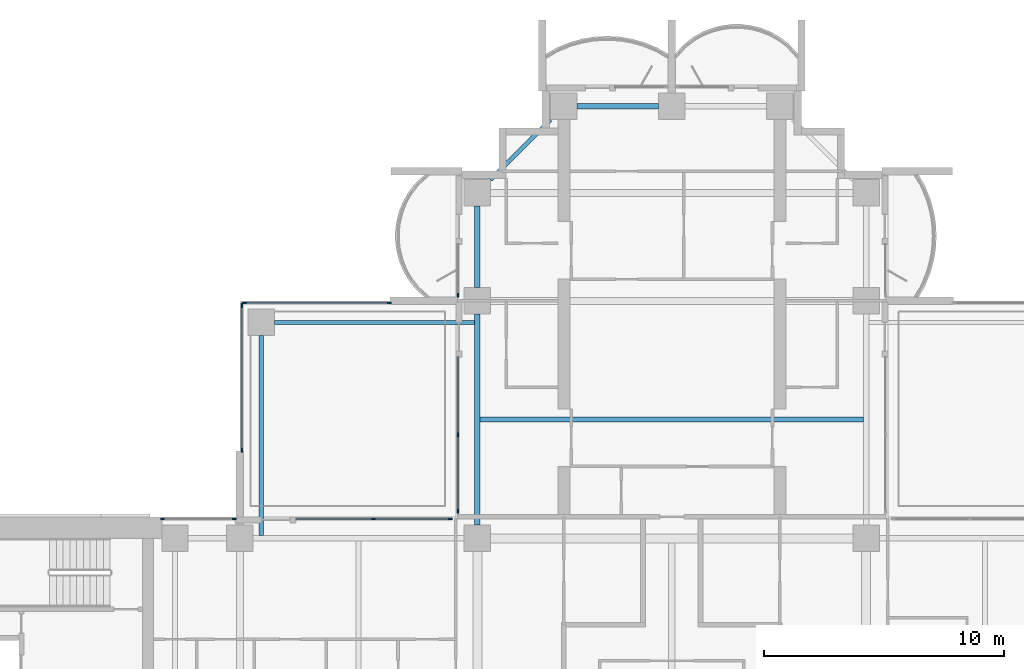
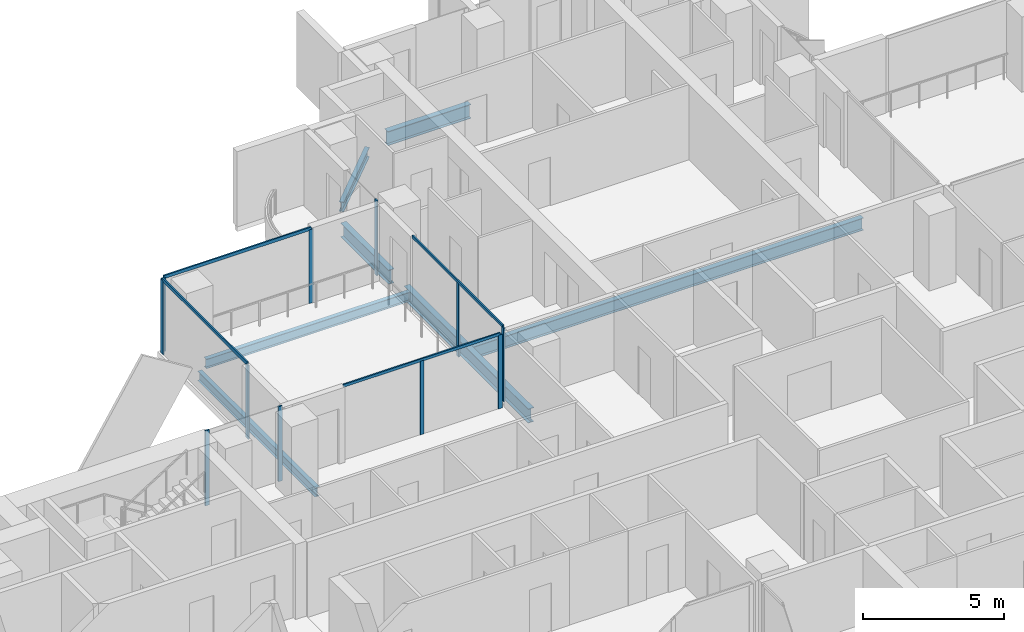
# One storey, part 5 of 19: 15 members, 7 beams, 6 elements without a shape of their own.
"""IFC4 building model written with IfcOpenShell, lengths in metres."""

import ifcopenshell
import ifcopenshell.guid

model = None  # the IFC model being written
_history = None  # IfcOwnerHistory: only IFC2X3 demands one
_inside = {}  # id of a spatial element -> (the spatial element, [elements in it])
_under = {}  # id of a project, library or spatial element -> (it, [spatial elements below it])
_declared = {}  # id of a project -> (the project, [libraries it declares])
_typed = {}  # id of a type object -> (the type object, [elements of that type])
_made_of = {}  # id of a material, layer set ... -> (it, [elements and type objects made of it])


def new_model(schema):
    """Start an empty IFC model of exactly this schema.

    Asked for "IFC4X3", IfcOpenShell would pick the latest addendum, in which some entities
    have other attributes; the version numbers below select the first issue.
    IFC2X3 requires an IfcOwnerHistory on every rooted entity: one is made here for all.
    """
    global model, _history
    if schema == "IFC4X3":
        model = ifcopenshell.file(schema_version=(4, 3, 0, 0))
    else:
        model = ifcopenshell.file(schema=schema)
    _inside.clear()
    _under.clear()
    _declared.clear()
    _typed.clear()
    _made_of.clear()
    _history = None
    if model.schema == "IFC2X3":
        org = make("IfcOrganization", Name="unknown")
        user = make(
            "IfcPersonAndOrganization",
            ThePerson=make("IfcPerson", FamilyName="unknown"),
            TheOrganization=org,
        )
        app = make(
            "IfcApplication",
            ApplicationDeveloper=org,
            Version="unknown",
            ApplicationFullName="unknown",
            ApplicationIdentifier="unknown",
        )
        _history = make(
            "IfcOwnerHistory",
            OwningUser=user,
            OwningApplication=app,
            ChangeAction="ADDED",
            CreationDate=0,
        )
    return model


def make(cls, **values):
    """One entity of the class cls with the attributes given. An attribute that is None is left unset."""
    return model.create_entity(
        cls, **{name: value for name, value in values.items() if value is not None}
    )


def rooted(cls, **values):
    """An entity with a GlobalId (a new one), such as an element, a storey or a relation."""
    return make(cls, GlobalId=ifcopenshell.guid.new(), OwnerHistory=_history, **values)


def si_unit(unit_type, name, prefix=None):
    """IfcSIUnit, for example si_unit("LENGTHUNIT", "METRE", prefix="MILLI")."""
    return make("IfcSIUnit", UnitType=unit_type, Prefix=prefix, Name=name)


def assignment(units):
    """IfcUnitAssignment: the units of a project."""
    return None if units is None else make("IfcUnitAssignment", Units=units)


def point(xyz):
    """IfcCartesianPoint."""
    return None if xyz is None else make("IfcCartesianPoint", Coordinates=xyz)


def direction(xyz):
    """IfcDirection."""
    return None if xyz is None else make("IfcDirection", DirectionRatios=xyz)


def frame(location, z_axis=None, x_axis=None):
    """IfcAxis2Placement3D, a coordinate frame: its origin and axes. An axis left out is left unset."""
    return make(
        "IfcAxis2Placement3D",
        Location=point(location),
        Axis=direction(z_axis),
        RefDirection=direction(x_axis),
    )


def frame_2d(location, x_axis=None):
    """IfcAxis2Placement2D, a coordinate frame in the plane: its origin and x axis."""
    return make(
        "IfcAxis2Placement2D", Location=point(location), RefDirection=direction(x_axis)
    )


def origin():
    """The frame at (0, 0, 0) with its axes left unset."""
    return frame((0.0, 0.0, 0.0))


def origin_2d():
    """The frame at (0, 0) in the plane with its x axis left unset."""
    return frame_2d((0.0, 0.0))


def place(relative_to, where):
    """IfcLocalPlacement: puts the frame where relative to a parent placement (None: the world)."""
    return make(
        "IfcLocalPlacement", PlacementRelTo=relative_to, RelativePlacement=where
    )


def context(
    kind, dimensions, precision=None, world=None, true_north=None, identifier=None
):
    """IfcGeometricRepresentationContext, for example the 3D "Model" context."""
    return make(
        "IfcGeometricRepresentationContext",
        ContextIdentifier=identifier,
        ContextType=kind,
        CoordinateSpaceDimension=dimensions,
        Precision=precision,
        WorldCoordinateSystem=world,
        TrueNorth=true_north,
    )


def subcontext(parent, identifier, kind, view, scale=None):
    """IfcGeometricRepresentationSubContext, for example "Body" below "Model"."""
    return make(
        "IfcGeometricRepresentationSubContext",
        ContextIdentifier=identifier,
        ContextType=kind,
        ParentContext=parent,
        TargetScale=scale,
        TargetView=view,
    )


def project(units=None, contexts=None):
    """IfcProject with its units and contexts."""
    return rooted(
        "IfcProject",
        Name="project",
        RepresentationContexts=contexts,
        UnitsInContext=assignment(units),
    )


def spatial(cls, under=None, at=None, **own):
    """A site, building, storey or space (cls), placed at a placement, below another one or the project."""
    s = rooted(cls, ObjectPlacement=at, **own)
    if under is not None:
        _under.setdefault(under.id(), (under, []))[1].append(s)
    return s


def profile(cls, at=None, kind="AREA", **sizes):
    """A parametric profile (cls). Its sizes go by their IFC names, for example OverallWidth=200.0."""
    return make(cls, ProfileType=kind, Position=at, **sizes)


def rectangle(**sizes):
    """IfcRectangleProfileDef."""
    return profile("IfcRectangleProfileDef", **sizes)


def i_section(**sizes):
    """IfcIShapeProfileDef."""
    return profile("IfcIShapeProfileDef", **sizes)


def extrude(swept, where, along, depth):
    """IfcExtrudedAreaSolid: the profile swept, set in the frame where, extruded along a direction by depth."""
    return make(
        "IfcExtrudedAreaSolid",
        SweptArea=swept,
        Position=where,
        ExtrudedDirection=direction(along),
        Depth=depth,
    )


def shape(context_of_items, identifier, shape_type, items):
    """IfcShapeRepresentation: the items that make up one representation, for example the "Body"."""
    return make(
        "IfcShapeRepresentation",
        ContextOfItems=context_of_items,
        RepresentationIdentifier=identifier,
        RepresentationType=shape_type,
        Items=items,
    )


def material(Name=None, Category=None):
    """IfcMaterial."""
    return make("IfcMaterial", Name=Name, Category=Category)


def material_profile(
    of_material, cross_section, Name=None, Category=None, Priority=None
):
    """IfcMaterialProfile: a cross section and its material."""
    return make(
        "IfcMaterialProfile",
        Name=Name,
        Material=of_material,
        Profile=cross_section,
        Priority=Priority,
        Category=Category,
    )


def profile_set(profiles, Name=None, composite=None):
    """IfcMaterialProfileSet."""
    return make(
        "IfcMaterialProfileSet",
        Name=Name,
        MaterialProfiles=profiles,
        CompositeProfile=composite,
    )


def made_of(thing, what):
    """Note that an element or type object is made of a material, layer set ...; save() writes the relation."""
    if what is not None:
        _made_of.setdefault(what.id(), (what, []))[1].append(thing)
    return thing


def type_object(cls, material=None, **own):
    """A type object (cls), such as IfcWallType, which elements share."""
    return made_of(rooted(cls, **own), material)


def element(
    cls,
    number,
    at=None,
    inside=None,
    cuts=None,
    type_object=None,
    material=None,
    context=None,
    identifier="Body",
    shape_type=None,
    held_by="IfcProductDefinitionShape",
    body=None,
    shapes=None,
    **own,
):
    """One element of the class cls, such as IfcWall. Its Tag is "e" and its number.

    at: its placement. inside: the storey or other place that contains it. cuts: it is an
    opening in that element (IfcRelVoidsElement). A single representation is given by context,
    identifier, shape_type and body (its items); several are given by shapes. held_by: the class
    of the entity that holds the representations. save() writes the other relations.
    """
    e = rooted(cls, Tag="e%d" % number, ObjectPlacement=at, **own)
    if body is not None:
        shapes = [shape(context, identifier, shape_type, body)]
    if shapes is not None:
        e.Representation = make(held_by, Representations=shapes)
    if inside is not None:
        _inside.setdefault(inside.id(), (inside, []))[1].append(e)
    if cuts is not None:
        rooted(
            "IfcRelVoidsElement", RelatingBuildingElement=cuts, RelatedOpeningElement=e
        )
    if type_object is not None:
        _typed.setdefault(type_object.id(), (type_object, []))[1].append(e)
    return made_of(e, material)


def aggregate(whole, parts):
    """IfcRelAggregates: a whole, such as a stair, and the parts it consists of."""
    return rooted("IfcRelAggregates", RelatingObject=whole, RelatedObjects=parts)


def save(model, path):
    """Write the relations noted so far, then the file.

    IfcRelAggregates (storeys below a building ...), IfcRelContainedInSpatialStructure (elements
    in a storey), IfcRelDefinesByType, IfcRelAssociatesMaterial and IfcRelDeclares: one each for
    every whole, place, type object, material and project.
    """
    for whole, parts in _under.values():
        aggregate(whole, parts)
    for where, things in _inside.values():
        rooted(
            "IfcRelContainedInSpatialStructure",
            RelatedElements=things,
            RelatingStructure=where,
        )
    for kind, things in _typed.values():
        rooted("IfcRelDefinesByType", RelatedObjects=things, RelatingType=kind)
    for what, things in _made_of.values():
        rooted("IfcRelAssociatesMaterial", RelatedObjects=things, RelatingMaterial=what)
    for by, libraries in _declared.values():
        rooted("IfcRelDeclares", RelatingContext=by, RelatedDefinitions=libraries)
    model.write(path)


model = new_model("IFC4")

# Units and contexts
model_context = context("Model", 3, precision=1e-05, world=origin(), true_north=direction((0.0, 1.0)))
body_context = subcontext(model_context, "Body", "Model", "MODEL_VIEW")
ifc_project = project(units=[si_unit("LENGTHUNIT", "METRE"), si_unit("AREAUNIT", "SQUARE_METRE"), si_unit("VOLUMEUNIT", "CUBIC_METRE"), si_unit("PLANEANGLEUNIT", "RADIAN"), si_unit("MASSUNIT", "GRAM", prefix="KILO")], contexts=[model_context])

# Site, building, storey
site_placement = place(None, origin())
site = spatial("IfcSite", under=ifc_project, at=site_placement, CompositionType="ELEMENT")
building_placement = place(site_placement, origin())
building = spatial("IfcBuilding", under=site, at=building_placement, Name="Perihelion Cross Residences", CompositionType="ELEMENT")
storey_placement = place(building_placement, frame((0.0, 0.0, 147.89990234375)))
storey = spatial("IfcBuildingStorey", under=building, at=storey_placement, Name="L36", CompositionType="ELEMENT", Elevation=147.89990234375)

# Curtain wall, member
ifc_material_1 = material(Name="Bronze anodised aluminium, tinted glazing", Category="aluminium")
curtain_wall_type_1 = type_object("IfcCurtainWallType", Name="CW1", PredefinedType="NOTDEFINED", material=ifc_material_1)
curtain_wall_1_placement = place(storey_placement, origin())
curtain_wall_1 = element("IfcCurtainWall", 1, at=curtain_wall_1_placement, inside=storey, type_object=curtain_wall_type_1, Name="Curtain wall CW1 L36 north side west bay 1", PredefinedType="NOTDEFINED")
ifc_material_2 = material(Name="Bronze anodised aluminium", Category="aluminium")
ifc_material_profile_1 = material_profile(ifc_material_2, rectangle(XDim=0.06005859375, YDim=0.159912109375, at=origin_2d()), Name="CW1 mullion")
ifc_profile_set_1 = profile_set([ifc_material_profile_1], Name="Bronze anodised aluminium")
member_type_1 = type_object("IfcMemberType", Name="CW1 mullion", PredefinedType="MULLION", material=ifc_profile_set_1)
member_1_placement = place(storey_placement, frame((-8.89990234375, 18.22998046875, 0.0), z_axis=(0.0, 0.0, 1.0), x_axis=(1.0, 0.0, 0.0)))
member_1 = element("IfcMember", 2, at=member_1_placement, type_object=member_type_1, Name="CW1 mullion 2", PredefinedType="MULLION", context=body_context, shape_type="SweptSolid", body=[
    extrude(rectangle(XDim=0.06005859375, YDim=0.159912109375, at=origin_2d()), origin(), (0.0, 0.0, 1.0), 3.25),
])
aggregate(curtain_wall_1, [member_1])

# Curtain wall, members
curtain_wall_2_placement = place(storey_placement, origin())
curtain_wall_2 = element("IfcCurtainWall", 3, at=curtain_wall_2_placement, inside=storey, type_object=curtain_wall_type_1, Name="Curtain wall CW1 L36 north side west bay 2", PredefinedType="NOTDEFINED")
member_2_placement = place(storey_placement, frame((-8.89990234375, 12.425048828125, 0.0), z_axis=(0.0, 0.0, 1.0), x_axis=(1.0, 0.0, 0.0)))
member_2 = element("IfcMember", 4, at=member_2_placement, type_object=member_type_1, Name="CW1 mullion 2", PredefinedType="MULLION", context=body_context, shape_type="SweptSolid", body=[
    extrude(rectangle(XDim=0.06005859375, YDim=0.159912109375, at=origin_2d()), origin(), (0.0, 0.0, 1.0), 3.190185546875),
])
member_3_placement = place(storey_placement, frame((-8.89990234375, 9.22998046875, 0.0), z_axis=(0.0, 0.0, 1.0), x_axis=(1.0, 0.0, 0.0)))
member_3 = element("IfcMember", 5, at=member_3_placement, type_object=member_type_1, Name="CW1 mullion 3", PredefinedType="MULLION", context=body_context, shape_type="SweptSolid", body=[
    extrude(rectangle(XDim=0.06005859375, YDim=0.159912109375, at=origin_2d()), origin(), (0.0, 0.0, 1.0), 3.190185546875),
])

curtain_wall_3_placement = place(storey_placement, origin())
curtain_wall_3 = element("IfcCurtainWall", 6, at=curtain_wall_3_placement, inside=storey, type_object=curtain_wall_type_1, Name="Curtain wall CW1 L36 west side north bay 1", PredefinedType="NOTDEFINED")
member_4_placement = place(storey_placement, frame((-9.22998046875, 8.89990234375, 0.0), z_axis=(0.0, 0.0, 1.0), x_axis=(0.0, -1.0, 0.0)))
member_4 = element("IfcMember", 7, at=member_4_placement, type_object=member_type_1, Name="CW1 mullion 1", PredefinedType="MULLION", context=body_context, shape_type="SweptSolid", body=[
    extrude(rectangle(XDim=0.06005859375, YDim=0.159912109375, at=origin_2d()), origin(), (0.0, 0.0, 1.0), 3.190185546875),
])
member_5_placement = place(storey_placement, frame((-12.425048828125, 8.89990234375, 0.0), z_axis=(0.0, 0.0, 1.0), x_axis=(0.0, -1.0, 0.0)))
member_5 = element("IfcMember", 8, at=member_5_placement, type_object=member_type_1, Name="CW1 mullion 2", PredefinedType="MULLION", context=body_context, shape_type="SweptSolid", body=[
    extrude(rectangle(XDim=0.06005859375, YDim=0.159912109375, at=origin_2d()), origin(), (0.0, 0.0, 1.0), 3.190185546875),
])

curtain_wall_4_placement = place(storey_placement, origin())
curtain_wall_4 = element("IfcCurtainWall", 9, at=curtain_wall_4_placement, inside=storey, type_object=curtain_wall_type_1, Name="Curtain wall CW1 L36 west side north bay 2", PredefinedType="NOTDEFINED")
member_6_placement = place(storey_placement, frame((-18.22998046875, 8.89990234375, 0.0), z_axis=(0.0, 0.0, 1.0), x_axis=(0.0, -1.0, 0.0)))
member_6 = element("IfcMember", 10, at=member_6_placement, type_object=member_type_1, Name="CW1 mullion 1", PredefinedType="MULLION", context=body_context, shape_type="SweptSolid", body=[
    extrude(rectangle(XDim=0.06005859375, YDim=0.159912109375, at=origin_2d()), origin(), (0.0, 0.0, 1.0), 3.25),
])
member_7_placement = place(storey_placement, frame((-21.219970703125, 8.89990234375, 0.0), z_axis=(0.0, 0.0, 1.0), x_axis=(0.0, -1.0, 0.0)))
member_7 = element("IfcMember", 11, at=member_7_placement, type_object=member_type_1, Name="CW1 mullion 2", PredefinedType="MULLION", context=body_context, shape_type="SweptSolid", body=[
    extrude(rectangle(XDim=0.06005859375, YDim=0.159912109375, at=origin_2d()), origin(), (0.0, 0.0, 1.0), 3.25),
])
aggregate(curtain_wall_4, [member_6, member_7])

# Member
ifc_material_3 = material(Name="Bronze anodised aluminium", Category="aluminium")
ifc_material_profile_2 = material_profile(ifc_material_3, rectangle(XDim=0.06005859375, YDim=0.1201171875, at=origin_2d()), Name="CW1 transom")
ifc_profile_set_2 = profile_set([ifc_material_profile_2], Name="Bronze anodised aluminium")
member_type_2 = type_object("IfcMemberType", Name="CW1 transom", PredefinedType="USERDEFINED", material=ifc_profile_set_2)
member_8_placement = place(storey_placement, frame((-8.89990234375, 15.64990234375, 3.22021484375), z_axis=(0.0, -1.0, 0.0), x_axis=(1.0, 0.0, 0.0)))
member_8 = element("IfcMember", 12, at=member_8_placement, type_object=member_type_2, Name="CW1 head transom", ObjectType="TRANSOM", PredefinedType="USERDEFINED", context=body_context, shape_type="SweptSolid", body=[
    extrude(rectangle(XDim=0.06005859375, YDim=0.1201171875, at=origin_2d()), origin(), (0.0, 0.0, 1.0), 6.419921875),
])

aggregate(curtain_wall_2, [member_2, member_3, member_8])

member_9_placement = place(storey_placement, frame((-9.22998046875, 8.89990234375, 3.22021484375), z_axis=(-1.0, 0.0, 0.0), x_axis=(0.0, -1.0, 0.0)))
member_9 = element("IfcMember", 13, at=member_9_placement, type_object=member_type_2, Name="CW1 head transom", ObjectType="TRANSOM", PredefinedType="USERDEFINED", context=body_context, shape_type="SweptSolid", body=[
    extrude(rectangle(XDim=0.06005859375, YDim=0.1201171875, at=origin_2d()), origin(), (0.0, 0.0, 1.0), 6.419921875),
])

aggregate(curtain_wall_3, [member_4, member_5, member_9])

# Curtain wall, members
ifc_material_4 = material(Name="Bronze anodised aluminium, tinted glazing", Category="aluminium")
curtain_wall_type_2 = type_object("IfcCurtainWallType", Name="CW4", PredefinedType="NOTDEFINED", material=ifc_material_4)
curtain_wall_5_placement = place(storey_placement, origin())
curtain_wall_5 = element("IfcCurtainWall", 14, at=curtain_wall_5_placement, inside=storey, type_object=curtain_wall_type_2, Name="Curtain wall CW4 L36 pocket north-west 1 1", PredefinedType="NOTDEFINED")
ifc_material_5 = material(Name="Bronze anodised aluminium", Category="aluminium")
ifc_material_profile_3 = material_profile(ifc_material_5, rectangle(XDim=0.06005859375, YDim=0.179931640625, at=origin_2d()), Name="CW4 mullion")
ifc_profile_set_3 = profile_set([ifc_material_profile_3], Name="Bronze anodised aluminium")
member_type_3 = type_object("IfcMemberType", Name="CW4 mullion", PredefinedType="MULLION", material=ifc_profile_set_3)
member_10_placement = place(storey_placement, frame((-17.89990234375, 11.77001953125, 0.0), z_axis=(0.0, 0.0, 1.0), x_axis=(-1.0, 0.0, 0.0)))
member_10 = element("IfcMember", 15, at=member_10_placement, type_object=member_type_3, Name="CW4 mullion 1", PredefinedType="MULLION", context=body_context, shape_type="SweptSolid", body=[
    extrude(rectangle(XDim=0.06005859375, YDim=0.179931640625, at=origin_2d()), origin(), (0.0, 0.0, 1.0), 3.190185546875),
])
member_11_placement = place(storey_placement, frame((-17.89990234375, 17.800048828125, 0.0), z_axis=(0.0, 0.0, 1.0), x_axis=(-1.0, 0.0, 0.0)))
member_11 = element("IfcMember", 16, at=member_11_placement, type_object=member_type_3, Name="CW4 mullion 2", PredefinedType="MULLION", context=body_context, shape_type="SweptSolid", body=[
    extrude(rectangle(XDim=0.06005859375, YDim=0.179931640625, at=origin_2d()), origin(), (0.0, 0.0, 1.0), 3.190185546875),
])

curtain_wall_6_placement = place(storey_placement, origin())
curtain_wall_6 = element("IfcCurtainWall", 17, at=curtain_wall_6_placement, inside=storey, type_object=curtain_wall_type_2, Name="Curtain wall CW4 L36 pocket north-west 1 2", PredefinedType="NOTDEFINED")
member_12_placement = place(storey_placement, frame((-17.800048828125, 17.89990234375, 0.0), z_axis=(0.0, 0.0, 1.0), x_axis=(0.0, 1.0, 0.0)))
member_12 = element("IfcMember", 18, at=member_12_placement, type_object=member_type_3, Name="CW4 mullion 1", PredefinedType="MULLION", context=body_context, shape_type="SweptSolid", body=[
    extrude(rectangle(XDim=0.06005859375, YDim=0.179931640625, at=origin_2d()), origin(), (0.0, 0.0, 1.0), 3.190185546875),
])
member_13_placement = place(storey_placement, frame((-11.77001953125, 17.89990234375, 0.0), z_axis=(0.0, 0.0, 1.0), x_axis=(0.0, 1.0, 0.0)))
member_13 = element("IfcMember", 19, at=member_13_placement, type_object=member_type_3, Name="CW4 mullion 2", PredefinedType="MULLION", context=body_context, shape_type="SweptSolid", body=[
    extrude(rectangle(XDim=0.06005859375, YDim=0.179931640625, at=origin_2d()), origin(), (0.0, 0.0, 1.0), 3.190185546875),
])

# Member
ifc_material_6 = material(Name="Bronze anodised aluminium", Category="aluminium")
ifc_material_profile_4 = material_profile(ifc_material_6, rectangle(XDim=0.06005859375, YDim=0.139892578125, at=origin_2d()), Name="CW4 transom")
ifc_profile_set_4 = profile_set([ifc_material_profile_4], Name="Bronze anodised aluminium")
member_type_4 = type_object("IfcMemberType", Name="CW4 transom", PredefinedType="USERDEFINED", material=ifc_profile_set_4)
member_14_placement = place(storey_placement, frame((-17.89990234375, 11.77001953125, 3.22021484375), z_axis=(0.0, 1.0, 0.0), x_axis=(-1.0, 0.0, 0.0)))
member_14 = element("IfcMember", 20, at=member_14_placement, type_object=member_type_4, Name="CW4 head transom", ObjectType="TRANSOM", PredefinedType="USERDEFINED", context=body_context, shape_type="SweptSolid", body=[
    extrude(rectangle(XDim=0.06005859375, YDim=0.139892578125, at=origin_2d()), origin(), (0.0, 0.0, 1.0), 6.030029296875),
])

aggregate(curtain_wall_5, [member_10, member_11, member_14])

member_15_placement = place(storey_placement, frame((-17.800048828125, 17.89990234375, 3.22021484375), z_axis=(1.0, 0.0, 0.0), x_axis=(0.0, 1.0, 0.0)))
member_15 = element("IfcMember", 21, at=member_15_placement, type_object=member_type_4, Name="CW4 head transom", ObjectType="TRANSOM", PredefinedType="USERDEFINED", context=body_context, shape_type="SweptSolid", body=[
    extrude(rectangle(XDim=0.06005859375, YDim=0.139892578125, at=origin_2d()), origin(), (0.0, 0.0, 1.0), 6.030029296875),
])

aggregate(curtain_wall_6, [member_12, member_13, member_15])

# Beams
ifc_material_7 = material(Name="Steel S355", Category="steel")
ifc_material_profile_5 = material_profile(ifc_material_7, i_section(OverallWidth=0.177978515625, OverallDepth=0.406005859375, WebThickness=0.0078125, FlangeThickness=0.0126953125, at=origin_2d()), Name="W410x60")
ifc_profile_set_5 = profile_set([ifc_material_profile_5], Name="Steel S355")
beam_type_1 = type_object("IfcBeamType", Name="Core edge beam W410x60", PredefinedType="BEAM", material=ifc_profile_set_5)
for number, where, z_axis, x_axis, name in (
    (22, (-17.10009765625, 8.214599609375, -0.452880859375), (0.0, 1.0, 0.0), (-1.0, 0.0, 0.0), "Core edge beam TB2 L36 corner no. 3"),
    (23, (-8.214599609375, 17.10009765625, -0.452880859375), (-1.0, 0.0, 0.0), (0.0, -1.0, 0.0), "Core edge beam TB2 L36 corner no. 4"),
):
    element("IfcBeam", number, at=place(storey_placement, frame(where, z_axis=z_axis, x_axis=x_axis)), inside=storey, type_object=beam_type_1, Name=name, PredefinedType="BEAM", context=body_context, shape_type="SweptSolid", body=[
        extrude(i_section(OverallWidth=0.177978515625, OverallDepth=0.406005859375, WebThickness=0.0078125, FlangeThickness=0.0126953125, at=origin_2d()), origin(), (0.0, 0.0, 1.0), 8.33544921875),
    ])
ifc_material_8 = material(Name="Steel S355", Category="steel")
ifc_material_profile_6 = material_profile(ifc_material_8, i_section(OverallWidth=0.22900390625, OverallDepth=0.612060546875, WebThickness=0.011962890625, FlangeThickness=0.01953125, at=origin_2d()), Name="W610x125")
ifc_profile_set_6 = profile_set([ifc_material_profile_6], Name="Steel S355")
beam_type_2 = type_object("IfcBeamType", Name="Edge beam W610x125", PredefinedType="SPANDREL", material=ifc_profile_set_6)
for number, where, z_axis, x_axis, name in (
    (24, (-0.550048828125, 26.10009765625, -0.555908203125), (-1.0, 0.0, 0.0), (0.0, -1.0, 0.0), "Edge beam SB3 L36 no. 10"),
    (25, (-8.10009765625, 21.949951171875, -0.555908203125), (0.0, -1.0, 0.0), (1.0, 0.0, 0.0), "Edge beam SB3 L36 no. 7"),
):
    element("IfcBeam", number, at=place(storey_placement, frame(where, z_axis=z_axis, x_axis=x_axis)), inside=storey, type_object=beam_type_2, Name=name, PredefinedType="SPANDREL", context=body_context, shape_type="SweptSolid", body=[
        extrude(i_section(OverallWidth=0.22900390625, OverallDepth=0.612060546875, WebThickness=0.011962890625, FlangeThickness=0.01953125, at=origin_2d()), origin(), (0.0, 0.0, 1.0), 3.39990234375),
    ])
beam_1_placement = place(storey_placement, frame((-8.10009765625, 17.449951171875, -0.555908203125), z_axis=(0.0, -1.0, 0.0), x_axis=(1.0, 0.0, 0.0)))
element("IfcBeam", 26, at=beam_1_placement, inside=storey, type_object=beam_type_2, Name="Edge beam SB3 L36 no. 6", PredefinedType="SPANDREL", context=body_context, shape_type="SweptSolid", body=[
    extrude(i_section(OverallWidth=0.22900390625, OverallDepth=0.612060546875, WebThickness=0.011962890625, FlangeThickness=0.01953125, at=origin_2d()), origin(), (0.0, 0.0, 1.0), 8.800048828125),
])
ifc_material_9 = material(Name="Steel S355", Category="steel")
ifc_material_profile_7 = material_profile(ifc_material_9, i_section(OverallWidth=0.208984375, OverallDepth=0.532958984375, WebThickness=0.01025390625, FlangeThickness=0.015625, at=origin_2d()), Name="W530x92")
ifc_profile_set_7 = profile_set([ifc_material_profile_7], Name="Steel S355")
beam_type_3 = type_object("IfcBeamType", Name="Floor joist W530x92", PredefinedType="JOIST", material=ifc_profile_set_7)
beam_2_placement = place(storey_placement, frame((-7.985595703125, 13.050048828125, -0.516357421875), z_axis=(1.0, 0.0, 0.0), x_axis=(0.0, 1.0, 0.0)))
element("IfcBeam", 27, at=beam_2_placement, inside=storey, type_object=beam_type_3, Name="Joist J4 L36 no. 4", PredefinedType="JOIST", context=body_context, shape_type="SweptSolid", body=[
    extrude(i_section(OverallWidth=0.208984375, OverallDepth=0.532958984375, WebThickness=0.01025390625, FlangeThickness=0.015625, at=origin_2d()), origin(), (0.0, 0.0, 1.0), 15.97119140625),
])
ifc_material_10 = material(Name="Steel S355", Category="steel")
ifc_material_profile_8 = material_profile(ifc_material_10, i_section(OverallWidth=0.180908203125, OverallDepth=0.4169921875, WebThickness=0.010986328125, FlangeThickness=0.018310546875, at=origin_2d()), Name="W410x85")
ifc_profile_set_8 = profile_set([ifc_material_profile_8], Name="Steel S355")
beam_type_4 = type_object("IfcBeamType", Name="Serration edge beam W410x85", PredefinedType="BEAM", material=ifc_profile_set_8)
beam_3_placement = place(storey_placement, frame((-5.050048828125, 25.550048828125, -0.45849609375), z_axis=(-0.707106781187, -0.707106781187, 0.0), x_axis=(0.707106781187, -0.707106781187, 0.0)))
element("IfcBeam", 28, at=beam_3_placement, inside=storey, type_object=beam_type_4, Name="Serration edge beam EB3 L36 no. 1", PredefinedType="BEAM", context=body_context, shape_type="SweptSolid", body=[
    extrude(i_section(OverallWidth=0.180908203125, OverallDepth=0.4169921875, WebThickness=0.010986328125, FlangeThickness=0.018310546875, at=origin_2d()), origin(), (0.0, 0.0, 1.0), 3.53564453125),
])

save(model, "model.ifc")
